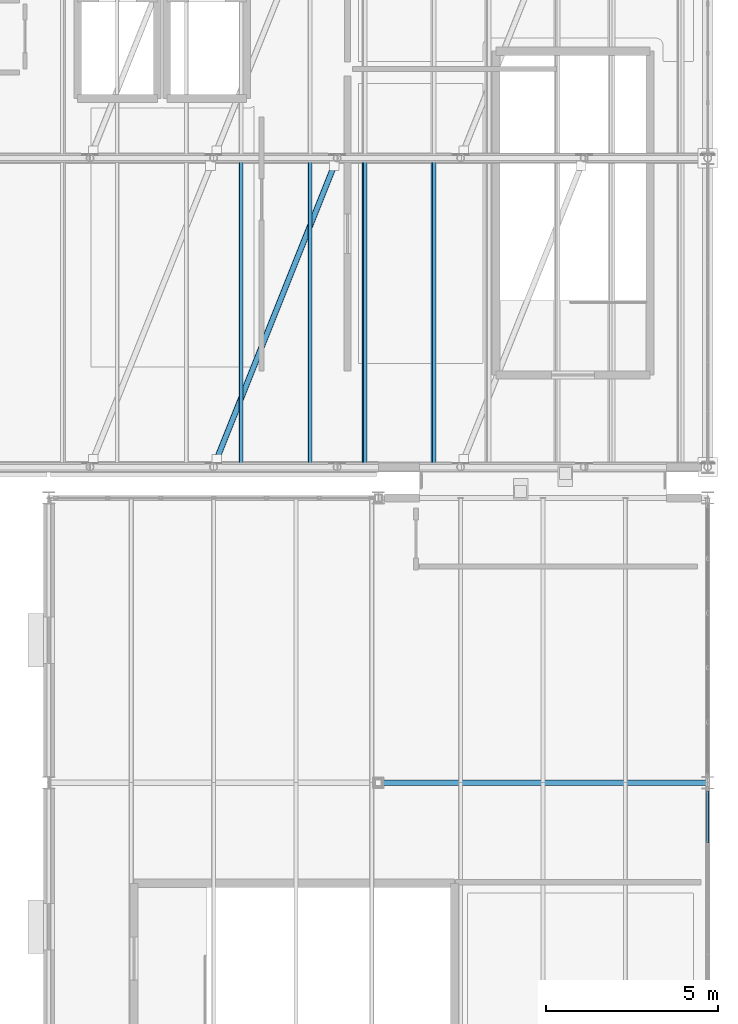
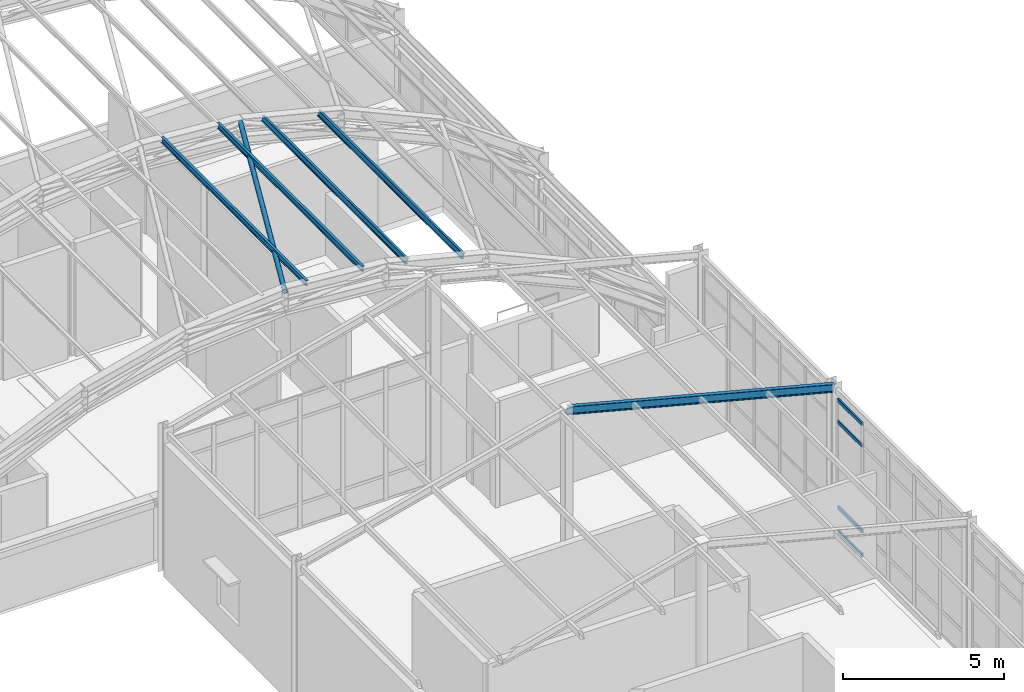
# One storey, part 21 of 121: 9 members, 1 beam, 1 element without a shape of its own.
"""IFC4 building model written with IfcOpenShell, lengths in metres."""

from ifc_helpers import new_model, si_unit, direction, frame, origin, origin_2d, place, context, subcontext, project, spatial, hollow_rectangle, hollow_circle, i_section, extrude, material, material_profile, profile_set, type_object, element, aggregate, save


model = new_model("IFC4")

# Units and contexts
model_context = context("Model", 3, precision=1e-05, world=origin(), true_north=direction((0.0, 1.0)))
body_context = subcontext(model_context, "Body", "Model", "MODEL_VIEW")
ifc_project = project(units=[si_unit("LENGTHUNIT", "METRE"), si_unit("AREAUNIT", "SQUARE_METRE"), si_unit("VOLUMEUNIT", "CUBIC_METRE"), si_unit("PLANEANGLEUNIT", "RADIAN"), si_unit("MASSUNIT", "GRAM", prefix="KILO")], contexts=[model_context])

# Site, building, storey
site_placement = place(None, origin())
site = spatial("IfcSite", under=ifc_project, at=site_placement, CompositionType="ELEMENT")
building_placement = place(site_placement, origin())
building = spatial("IfcBuilding", under=site, at=building_placement, Name="Canglan Escarpment Cableway Terminal", CompositionType="ELEMENT")
storey_placement = place(building_placement, frame((0.0, 0.0, 24.60009765625)))
storey = spatial("IfcBuildingStorey", under=building, at=storey_placement, Name="L05", CompositionType="ELEMENT", Elevation=24.60009765625)

# Beam
ifc_material_1 = material(Name="Steel Q355B", Category="steel")
ifc_material_profile_1 = material_profile(ifc_material_1, i_section(OverallWidth=0.14990234375, OverallDepth=0.300048828125, WebThickness=0.006591796875, FlangeThickness=0.009033203125, FilletRadius=0.012939453125, at=origin_2d()), Name="HN 300x150x6.5x9")
ifc_profile_set_1 = profile_set([ifc_material_profile_1], Name="Steel Q355B")
beam_type = type_object("IfcBeamType", Name="BM-GABLE-RAFTER-HN300", PredefinedType="BEAM", material=ifc_profile_set_1)
beam_placement = place(storey_placement, frame((156.800048828125, 24.800048828125, 7.849853515625), z_axis=(0.9677232967, 0.0, -0.252015120628), x_axis=(0.0, 1.0, 0.0)))
element("IfcBeam", 1, at=beam_placement, inside=storey, type_object=beam_type, Name="Pedimented pavilion rafter RF-B2", PredefinedType="BEAM", context=body_context, shape_type="SweptSolid", body=[
    extrude(i_section(OverallWidth=0.14990234375, OverallDepth=0.300048828125, WebThickness=0.006591796875, FlangeThickness=0.009033203125, FilletRadius=0.012939453125, at=origin_2d()), origin(), (0.0, 0.0, 1.0), 9.919921875),
])

# Curtain wall, members
ifc_material_2 = material(Name="Anodized bronze aluminium and Low-E double glazing", Category="aluminium")
curtain_wall_type = type_object("IfcCurtainWallType", Name="CW-BAY-8050x5050", PredefinedType="NOTDEFINED", material=ifc_material_2)
curtain_wall_placement = place(storey_placement, origin())
curtain_wall = element("IfcCurtainWall", 2, at=curtain_wall_placement, inside=storey, type_object=curtain_wall_type, Name="Classical bay-between-piers glazed curtain wall CW-38", PredefinedType="NOTDEFINED")
ifc_material_3 = material(Name="Thermally broken anodized aluminium 6063-T6", Category="aluminium")
ifc_material_profile_2 = material_profile(ifc_material_3, hollow_rectangle(XDim=0.06494140625, YDim=0.139892578125, WallThickness=0.00341796875, InnerFilletRadius=0.00341796875, OuterFilletRadius=0.007080078125, at=origin_2d()), Name="ALU-TRAN 65x140x3.5")
ifc_profile_set_2 = profile_set([ifc_material_profile_2], Name="Thermally broken anodized aluminium 6063-T6")
member_type_1 = type_object("IfcMemberType", Name="CWT-03", PredefinedType="USERDEFINED", material=ifc_profile_set_2)
member_1_placement = place(storey_placement, frame((166.39990234375, 23.047607421875, 0.032470703125), z_axis=(0.0, 1.0, 0.0), x_axis=(-1.0, 0.0, 0.0)))
member_1 = element("IfcMember", 3, at=member_1_placement, type_object=member_type_1, Name="CW-38 transom 5.1", ObjectType="TRANSOM", PredefinedType="USERDEFINED", context=body_context, shape_type="SweptSolid", body=[
    extrude(hollow_rectangle(XDim=0.06494140625, YDim=0.139892578125, WallThickness=0.00341796875, InnerFilletRadius=0.00341796875, OuterFilletRadius=0.007080078125, at=origin_2d()), origin(), (0.0, 0.0, 1.0), 1.512451171875),
])
member_2_placement = place(storey_placement, frame((166.39990234375, 23.047607421875, 0.949951171875), z_axis=(0.0, 1.0, 0.0), x_axis=(-1.0, 0.0, 0.0)))
member_2 = element("IfcMember", 4, at=member_2_placement, type_object=member_type_1, Name="CW-38 transom 5.2", ObjectType="TRANSOM", PredefinedType="USERDEFINED", context=body_context, shape_type="SweptSolid", body=[
    extrude(hollow_rectangle(XDim=0.06494140625, YDim=0.139892578125, WallThickness=0.00341796875, InnerFilletRadius=0.00341796875, OuterFilletRadius=0.007080078125, at=origin_2d()), origin(), (0.0, 0.0, 1.0), 1.512451171875),
])
member_3_placement = place(storey_placement, frame((166.39990234375, 23.047607421875, 4.199951171875), z_axis=(0.0, 1.0, 0.0), x_axis=(-1.0, 0.0, 0.0)))
member_3 = element("IfcMember", 5, at=member_3_placement, type_object=member_type_1, Name="CW-38 transom 5.3", ObjectType="TRANSOM", PredefinedType="USERDEFINED", context=body_context, shape_type="SweptSolid", body=[
    extrude(hollow_rectangle(XDim=0.06494140625, YDim=0.139892578125, WallThickness=0.00341796875, InnerFilletRadius=0.00341796875, OuterFilletRadius=0.007080078125, at=origin_2d()), origin(), (0.0, 0.0, 1.0), 1.512451171875),
])
member_4_placement = place(storey_placement, frame((166.39990234375, 23.047607421875, 5.017333984375), z_axis=(0.0, 1.0, 0.0), x_axis=(-1.0, 0.0, 0.0)))
member_4 = element("IfcMember", 6, at=member_4_placement, type_object=member_type_1, Name="CW-38 transom 5.4", ObjectType="TRANSOM", PredefinedType="USERDEFINED", context=body_context, shape_type="SweptSolid", body=[
    extrude(hollow_rectangle(XDim=0.06494140625, YDim=0.139892578125, WallThickness=0.00341796875, InnerFilletRadius=0.00341796875, OuterFilletRadius=0.007080078125, at=origin_2d()), origin(), (0.0, 0.0, 1.0), 1.512451171875),
])
aggregate(curtain_wall, [member_1, member_2, member_3, member_4])

# Members
ifc_material_profile_3 = material_profile(ifc_material_1, hollow_circle(Radius=0.084228515625, WallThickness=0.006103515625, at=origin_2d()), Name="CHS 168.3x6")
ifc_profile_set_3 = profile_set([ifc_material_profile_3], Name="Steel Q355B")
member_type_2 = type_object("IfcMemberType", Name="MB-ROOF-BR-CHS168", PredefinedType="BRACE", material=ifc_profile_set_3)
member_5_placement = place(storey_placement, frame((152.0, 34.0, 8.449951171875), z_axis=(0.371225584171, 0.928038785765, -0.030587215839), x_axis=(-0.928473216852, 0.37139936132, 0.0)))
element("IfcMember", 7, at=member_5_placement, inside=storey, type_object=member_type_2, Name="Vault roof plane wind brace BR-03", PredefinedType="BRACE", context=body_context, shape_type="SweptSolid", body=[
    extrude(hollow_circle(Radius=0.084228515625, WallThickness=0.006103515625, at=origin_2d()), origin(), (0.0, 0.0, 1.0), 9.69775390625),
])
ifc_material_profile_4 = material_profile(ifc_material_1, i_section(OverallWidth=0.10009765625, OverallDepth=0.199951171875, WebThickness=0.005615234375, FlangeThickness=0.008056640625, FilletRadius=0.010986328125, at=origin_2d()), Name="HN 200x100x5.5x8")
ifc_profile_set_4 = profile_set([ifc_material_profile_4], Name="Steel Q355B")
member_type_3 = type_object("IfcMemberType", Name="MB-VAULT-PUR-HN200", PredefinedType="PURLIN", material=ifc_profile_set_4)
for number, where, z_axis, x_axis, name in (
    (8, (152.7919921875, 34.0, 8.481201171875), (0.0, 1.0, 0.0), (-0.996625936329, 0.0, 0.082077664662), "Barrel-vault roof purlin PR-01"),
    (9, (154.80810546875, 34.0, 8.315185546875), (0.0, 1.0, 0.0), (-0.996625936329, 0.0, 0.082077664662), "Barrel-vault roof purlin PR-01"),
    (10, (156.39208984375, 34.0, 8.045654296875), (0.0, 1.0, 0.0), (-0.969183633805, 0.0, 0.246339367468), "Barrel-vault roof purlin PR-01"),
    (11, (158.407958984375, 34.0, 7.533203125), (0.0, 1.0, 0.0), (-0.969183633805, 0.0, 0.246339367468), "Barrel-vault roof purlin PR-01"),
):
    element("IfcMember", number, at=place(storey_placement, frame(where, z_axis=z_axis, x_axis=x_axis)), inside=storey, type_object=member_type_3, Name=name, PredefinedType="PURLIN", context=body_context, shape_type="SweptSolid", body=[
        extrude(i_section(OverallWidth=0.10009765625, OverallDepth=0.199951171875, WebThickness=0.005615234375, FlangeThickness=0.008056640625, FilletRadius=0.010986328125, at=origin_2d()), origin(), (0.0, 0.0, 1.0), 9.0),
    ])

save(model, "model.ifc")
